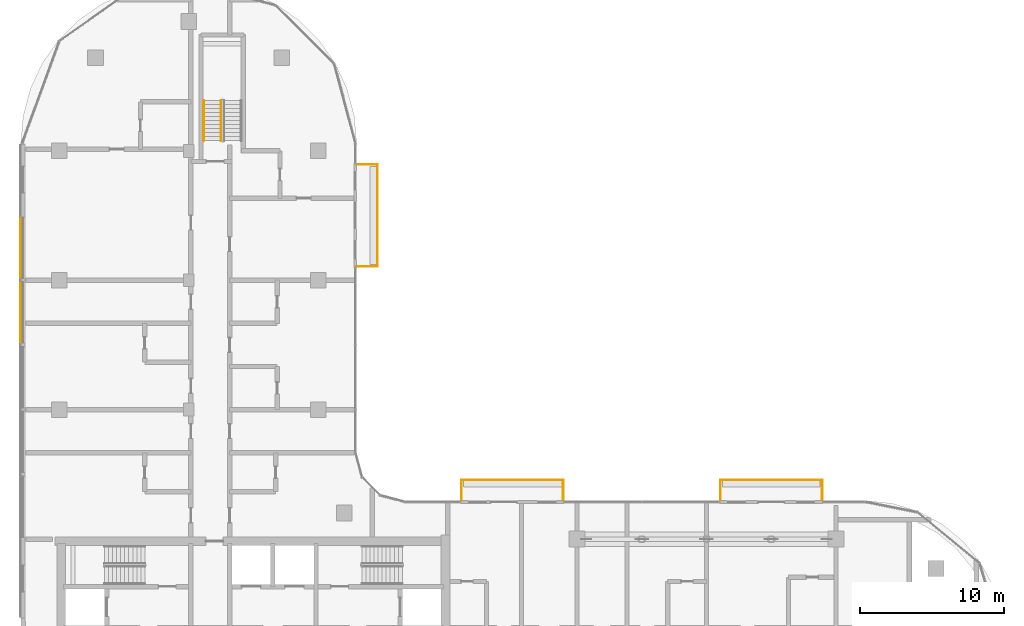
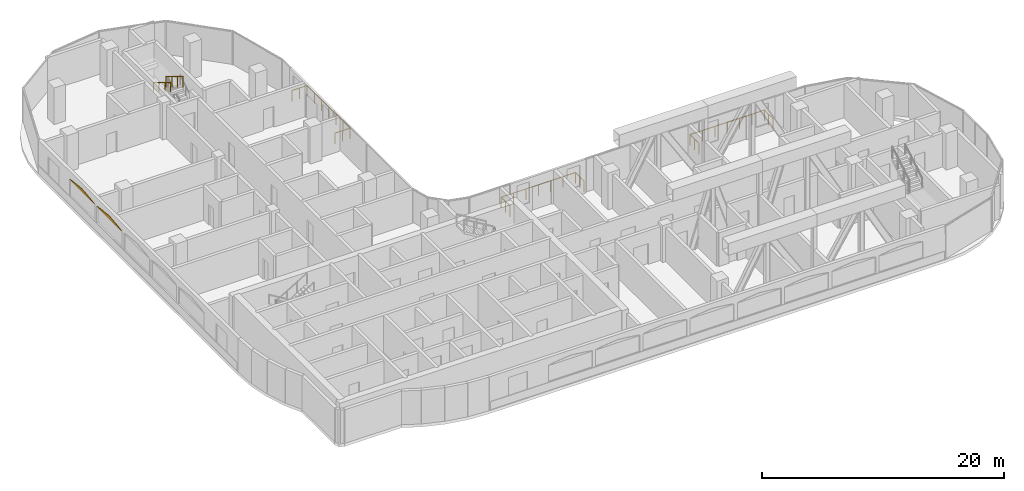
# One storey, part 24 of 25: 5 railings, 2 coverings.
"""IFC4 building model written with IfcOpenShell, lengths in metres."""

from ifc_helpers import new_model, si_unit, direction, frame, origin, origin_2d, place, context, subcontext, project, spatial, polyline, circle, outline, extrude, material, layer, layer_set, type_object, element, save


model = new_model("IFC4")

# Units and contexts
model_context = context("Model", 3, precision=1e-05, world=origin(), true_north=direction((0.0, 1.0)))
body_context = subcontext(model_context, "Body", "Model", "MODEL_VIEW")
ifc_project = project(units=[si_unit("LENGTHUNIT", "METRE"), si_unit("AREAUNIT", "SQUARE_METRE"), si_unit("VOLUMEUNIT", "CUBIC_METRE"), si_unit("PLANEANGLEUNIT", "RADIAN"), si_unit("MASSUNIT", "GRAM", prefix="KILO")], contexts=[model_context])

# Site, building, storey
site_placement = place(None, origin())
site = spatial("IfcSite", under=ifc_project, at=site_placement, CompositionType="ELEMENT")
building_placement = place(site_placement, origin())
building = spatial("IfcBuilding", under=site, at=building_placement, Name="Ogive Portal Towers", CompositionType="ELEMENT")
storey_placement = place(building_placement, frame((0.0, 0.0, 182.89990234375)))
storey = spatial("IfcBuildingStorey", under=building, at=storey_placement, Name="L45", CompositionType="ELEMENT", Elevation=182.89990234375)

# Railings
ifc_material_1 = material(Name="Steel S355", Category="steel")
railing_type_1 = type_object("IfcRailingType", Name="BALUSTRADE GLASS 1100", PredefinedType="BALUSTRADE", material=ifc_material_1)
railing_1_placement = place(storey_placement, frame((59.4599609375, 42.179931640625, 0.0)))
element("IfcRailing", 1, at=railing_1_placement, inside=storey, type_object=railing_type_1, Name="A:L45:bal:T1:rail", PredefinedType="BALUSTRADE", context=body_context, shape_type="SweptSolid", body=[
    extrude(circle(Radius=0.02392578125, at=origin_2d()), frame((0.0, 0.0, 1.076171875), z_axis=(0.0, 1.0, 0.0), x_axis=(-1.0, 0.0, 0.0)), (0.0, 0.0, 1.0), 1.440185546875),
    extrude(circle(Radius=0.02392578125, at=origin_2d()), frame((0.0, 1.440185546875, 1.076171875), z_axis=(1.0, 0.0, 0.0), x_axis=(0.0, 1.0, 0.0)), (0.0, 0.0, 1.0), 7.080078125),
    extrude(circle(Radius=0.02392578125, at=origin_2d()), frame((7.080078125, 1.440185546875, 1.076171875), z_axis=(0.0, -1.0, 0.0), x_axis=(1.0, 0.0, 0.0)), (0.0, 0.0, 1.0), 1.440185546875),
    extrude(circle(Radius=0.02099609375, at=origin_2d()), origin(), (0.0, 0.0, 1.0), 1.052001953125),
    extrude(circle(Radius=0.02099609375, at=origin_2d()), frame((0.0, 0.72021484375, 0.0)), (0.0, 0.0, 1.0), 1.052001953125),
    extrude(circle(Radius=0.02099609375, at=origin_2d()), frame((0.0, 1.440185546875, 0.0)), (0.0, 0.0, 1.0), 1.052001953125),
    extrude(circle(Radius=0.02099609375, at=origin_2d()), frame((1.179931640625, 1.440185546875, 0.0)), (0.0, 0.0, 1.0), 1.052001953125),
    extrude(circle(Radius=0.02099609375, at=origin_2d()), frame((2.360107421875, 1.440185546875, 0.0)), (0.0, 0.0, 1.0), 1.052001953125),
    extrude(circle(Radius=0.02099609375, at=origin_2d()), frame((3.5400390625, 1.440185546875, 0.0)), (0.0, 0.0, 1.0), 1.052001953125),
    extrude(circle(Radius=0.02099609375, at=origin_2d()), frame((4.719970703125, 1.440185546875, 0.0)), (0.0, 0.0, 1.0), 1.052001953125),
    extrude(circle(Radius=0.02099609375, at=origin_2d()), frame((5.900146484375, 1.440185546875, 0.0)), (0.0, 0.0, 1.0), 1.052001953125),
    extrude(circle(Radius=0.02099609375, at=origin_2d()), frame((7.080078125, 1.440185546875, 0.0)), (0.0, 0.0, 1.0), 1.052001953125),
    extrude(circle(Radius=0.02099609375, at=origin_2d()), frame((7.080078125, 0.72021484375, 0.0)), (0.0, 0.0, 1.0), 1.052001953125),
    extrude(circle(Radius=0.02099609375, at=origin_2d()), frame((7.080078125, 0.0, 0.0)), (0.0, 0.0, 1.0), 1.052001953125),
])
railing_2_placement = place(storey_placement, frame((77.4599609375, 42.179931640625, 0.0)))
element("IfcRailing", 2, at=railing_2_placement, inside=storey, type_object=railing_type_1, Name="A:L45:bal:T3:rail", PredefinedType="BALUSTRADE", context=body_context, shape_type="SweptSolid", body=[
    extrude(circle(Radius=0.02392578125, at=origin_2d()), frame((0.0, 0.0, 1.076171875), z_axis=(0.0, 1.0, 0.0), x_axis=(-1.0, 0.0, 0.0)), (0.0, 0.0, 1.0), 1.440185546875),
    extrude(circle(Radius=0.02392578125, at=origin_2d()), frame((0.0, 1.440185546875, 1.076171875), z_axis=(1.0, 0.0, 0.0), x_axis=(0.0, 1.0, 0.0)), (0.0, 0.0, 1.0), 7.080078125),
    extrude(circle(Radius=0.02392578125, at=origin_2d()), frame((7.080078125, 1.440185546875, 1.076171875), z_axis=(0.0, -1.0, 0.0), x_axis=(1.0, 0.0, 0.0)), (0.0, 0.0, 1.0), 1.440185546875),
    extrude(circle(Radius=0.02099609375, at=origin_2d()), origin(), (0.0, 0.0, 1.0), 1.052001953125),
    extrude(circle(Radius=0.02099609375, at=origin_2d()), frame((0.0, 0.72021484375, 0.0)), (0.0, 0.0, 1.0), 1.052001953125),
    extrude(circle(Radius=0.02099609375, at=origin_2d()), frame((0.0, 1.440185546875, 0.0)), (0.0, 0.0, 1.0), 1.052001953125),
    extrude(circle(Radius=0.02099609375, at=origin_2d()), frame((1.179931640625, 1.440185546875, 0.0)), (0.0, 0.0, 1.0), 1.052001953125),
    extrude(circle(Radius=0.02099609375, at=origin_2d()), frame((2.360107421875, 1.440185546875, 0.0)), (0.0, 0.0, 1.0), 1.052001953125),
    extrude(circle(Radius=0.02099609375, at=origin_2d()), frame((3.5400390625, 1.440185546875, 0.0)), (0.0, 0.0, 1.0), 1.052001953125),
    extrude(circle(Radius=0.02099609375, at=origin_2d()), frame((4.719970703125, 1.440185546875, 0.0)), (0.0, 0.0, 1.0), 1.052001953125),
    extrude(circle(Radius=0.02099609375, at=origin_2d()), frame((5.900146484375, 1.440185546875, 0.0)), (0.0, 0.0, 1.0), 1.052001953125),
    extrude(circle(Radius=0.02099609375, at=origin_2d()), frame((7.080078125, 1.440185546875, 0.0)), (0.0, 0.0, 1.0), 1.052001953125),
    extrude(circle(Radius=0.02099609375, at=origin_2d()), frame((7.080078125, 0.72021484375, 0.0)), (0.0, 0.0, 1.0), 1.052001953125),
    extrude(circle(Radius=0.02099609375, at=origin_2d()), frame((7.080078125, 0.0, 0.0)), (0.0, 0.0, 1.0), 1.052001953125),
])
railing_3_placement = place(storey_placement, frame((52.179931640625, 58.4599609375, 0.0)))
element("IfcRailing", 3, at=railing_3_placement, inside=storey, type_object=railing_type_1, Name="A:L45:bal:S2:rail", PredefinedType="BALUSTRADE", context=body_context, shape_type="SweptSolid", body=[
    extrude(circle(Radius=0.02392578125, at=origin_2d()), frame((0.0, 0.0, 1.076171875), z_axis=(1.0, 0.0, 0.0), x_axis=(0.0, 1.0, 0.0)), (0.0, 0.0, 1.0), 1.440185546875),
    extrude(circle(Radius=0.02392578125, at=origin_2d()), frame((1.440185546875, 0.0, 1.076171875), z_axis=(0.0, 1.0, 0.0), x_axis=(-1.0, 0.0, 0.0)), (0.0, 0.0, 1.0), 7.080078125),
    extrude(circle(Radius=0.02392578125, at=origin_2d()), frame((1.440185546875, 7.080078125, 1.076171875), z_axis=(-1.0, 0.0, 0.0), x_axis=(0.0, -1.0, 0.0)), (0.0, 0.0, 1.0), 1.440185546875),
    extrude(circle(Radius=0.02099609375, at=origin_2d()), origin(), (0.0, 0.0, 1.0), 1.052001953125),
    extrude(circle(Radius=0.02099609375, at=origin_2d()), frame((0.72021484375, 0.0, 0.0)), (0.0, 0.0, 1.0), 1.052001953125),
    extrude(circle(Radius=0.02099609375, at=origin_2d()), frame((1.440185546875, 0.0, 0.0)), (0.0, 0.0, 1.0), 1.052001953125),
    extrude(circle(Radius=0.02099609375, at=origin_2d()), frame((1.440185546875, 1.179931640625, 0.0)), (0.0, 0.0, 1.0), 1.052001953125),
    extrude(circle(Radius=0.02099609375, at=origin_2d()), frame((1.440185546875, 2.360107421875, 0.0)), (0.0, 0.0, 1.0), 1.052001953125),
    extrude(circle(Radius=0.02099609375, at=origin_2d()), frame((1.440185546875, 3.5400390625, 0.0)), (0.0, 0.0, 1.0), 1.052001953125),
    extrude(circle(Radius=0.02099609375, at=origin_2d()), frame((1.440185546875, 4.719970703125, 0.0)), (0.0, 0.0, 1.0), 1.052001953125),
    extrude(circle(Radius=0.02099609375, at=origin_2d()), frame((1.440185546875, 5.900146484375, 0.0)), (0.0, 0.0, 1.0), 1.052001953125),
    extrude(circle(Radius=0.02099609375, at=origin_2d()), frame((1.440185546875, 7.080078125, 0.0)), (0.0, 0.0, 1.0), 1.052001953125),
    extrude(circle(Radius=0.02099609375, at=origin_2d()), frame((0.72021484375, 7.080078125, 0.0)), (0.0, 0.0, 1.0), 1.052001953125),
    extrude(circle(Radius=0.02099609375, at=origin_2d()), frame((0.0, 7.080078125, 0.0)), (0.0, 0.0, 1.0), 1.052001953125),
])
ifc_material_2 = material(Name="Stainless steel balustrade", Category="steel")
railing_type_2 = type_object("IfcRailingType", Name="INT-GUARD", PredefinedType="GUARDRAIL", material=ifc_material_2)
railing_4_placement = place(storey_placement, frame((42.75, 70.0, 2.018310546875)))
element("IfcRailing", 4, at=railing_4_placement, inside=storey, type_object=railing_type_2, Name="L45 ST-A3 stair guard 3", PredefinedType="GUARDRAIL", context=body_context, shape_type="SweptSolid", body=[
    extrude(circle(Radius=0.02392578125, at=origin_2d()), frame((0.0, 0.0, 1.076171875), z_axis=(0.0, -0.857242210791, 0.514913383045), x_axis=(1.0, 0.0, 0.0)), (0.0, 0.0, 1.0), 3.266357421875),
    extrude(circle(Radius=0.02099609375, at=origin_2d()), origin(), (0.0, 0.0, 1.0), 1.052001953125),
    extrude(circle(Radius=0.02099609375, at=origin_2d()), frame((0.0, -0.933349609375, 0.560546875)), (0.0, 0.0, 1.0), 1.052001953125),
    extrude(circle(Radius=0.02099609375, at=origin_2d()), frame((0.0, -1.86669921875, 1.121337890625)), (0.0, 0.0, 1.0), 1.052001953125),
    extrude(circle(Radius=0.02099609375, at=origin_2d()), frame((0.0, -2.800048828125, 1.681884765625)), (0.0, 0.0, 1.0), 1.052001953125),
])
ifc_material_3 = material(Name="Stainless steel handrail", Category="steel")
railing_type_3 = type_object("IfcRailingType", Name="INT-HANDRAIL", PredefinedType="HANDRAIL", material=ifc_material_3)
railing_5_placement = place(storey_placement, frame((41.550048828125, 70.0, 2.018310546875)))
element("IfcRailing", 5, at=railing_5_placement, inside=storey, type_object=railing_type_3, Name="L45 ST-A3 stair handrail 2", PredefinedType="HANDRAIL", context=body_context, shape_type="SweptSolid", body=[
    extrude(circle(Radius=0.02392578125, at=origin_2d()), frame((0.0, 0.0, 0.8759765625), z_axis=(0.0, -0.857242210791, 0.514913383045), x_axis=(1.0, 0.0, 0.0)), (0.0, 0.0, 1.0), 3.266357421875),
    extrude(circle(Radius=0.02099609375, at=origin_2d()), origin(), (0.0, 0.0, 1.0), 0.851806640625),
    extrude(circle(Radius=0.02099609375, at=origin_2d()), frame((0.0, -0.933349609375, 0.560546875)), (0.0, 0.0, 1.0), 0.851806640625),
    extrude(circle(Radius=0.02099609375, at=origin_2d()), frame((0.0, -1.86669921875, 1.121337890625)), (0.0, 0.0, 1.0), 0.851806640625),
    extrude(circle(Radius=0.02099609375, at=origin_2d()), frame((0.0, -2.800048828125, 1.681884765625)), (0.0, 0.0, 1.0), 0.851806640625),
])

# Coverings
ifc_material_4 = material(Name="Limestone cladding on lightweight block wall", Category="masonry")
ifc_layer = layer(ifc_material_4, 0.0400390625)
ifc_layer_set = layer_set([ifc_layer], Name="LANCET HEAD STONE")
covering_type = type_object("IfcCoveringType", Name="LANCET HEAD STONE", PredefinedType="CLADDING", material=ifc_layer_set)
for number, where, z_axis, x_axis, name in (
    (6, (28.820068359375, 61.85009765625, 2.60009765625), (0.999947689108, 0.0, 0.01022834526), (0.0, -1.0, 0.0), "Lancet head"),
    (7, (28.820068359375, 57.35009765625, 2.60009765625), (0.999947689108, 0.0, 0.01022834526), (0.0, -1.0, 0.0), "Lancet head"),
):
    element("IfcCovering", number, at=place(storey_placement, frame(where, z_axis=z_axis, x_axis=x_axis)), inside=storey, type_object=covering_type, Name=name, PredefinedType="CLADDING", context=body_context, shape_type="SweptSolid", body=[
        extrude(outline(polyline([(0.0, 0.0), (4.2001953125, 0.0), (4.107177734375, -0.03760068379228868), (3.9375, -0.07495474257618673), (3.7177734375, -0.11255542636847542), (3.45751953125, -0.14990948515237346), (3.162353515625, -0.18751016894466213), (2.836181640625, -0.2251083555823464), (2.481201171875, -0.2624649115208489), (2.10009765625, -0.30006559531313753), (1.718994140625, -0.2624649115208489), (1.364013671875, -0.2251083555823464), (1.037841796875, -0.18751016894466213), (0.74267578125, -0.14990948515237346), (0.482421875, -0.11255542636847542), (0.2626953125, -0.07495474257618673), (0.093017578125, -0.03760068379228868), (0.0, 0.0)])), origin(), (0.0, 0.0, -1.0), 0.0400390625),
    ])

save(model, "model.ifc")
